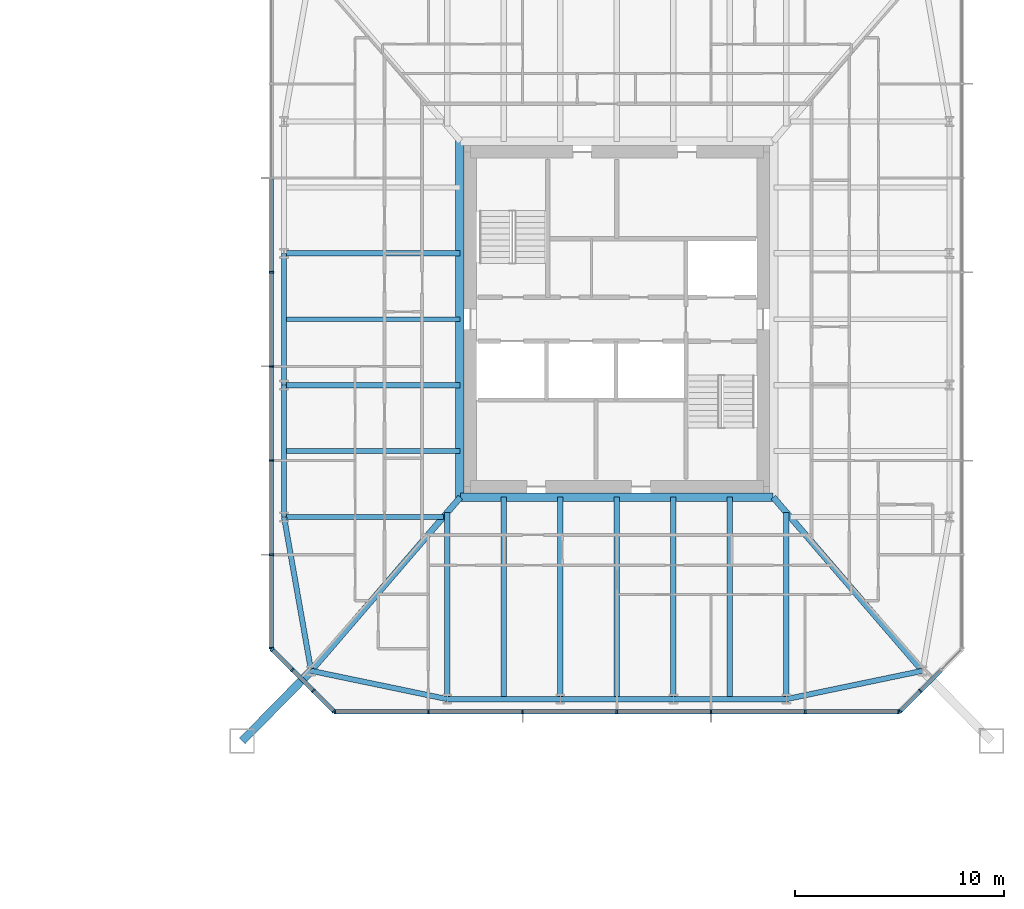
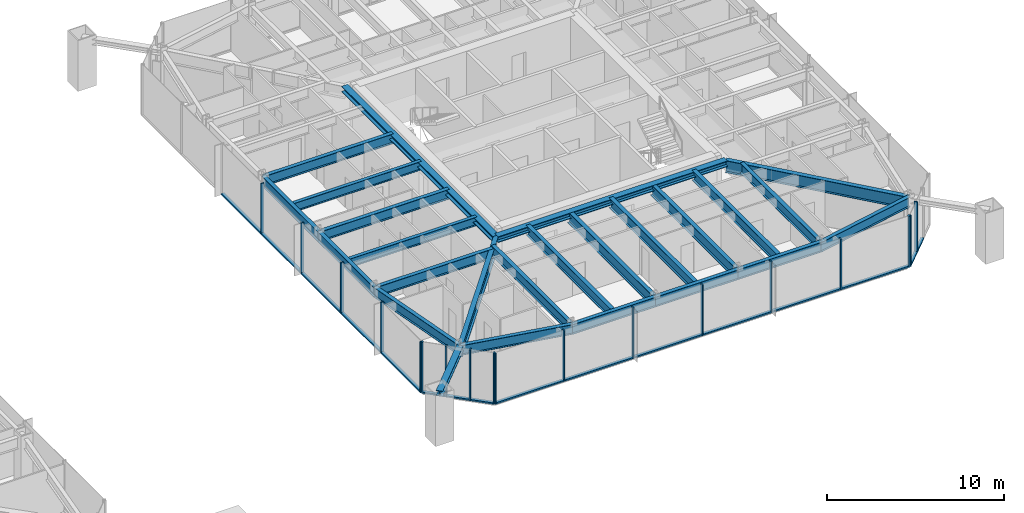
# One storey, part 8 of 26: 35 members, 24 beams, 4 elements without a shape of their own.
"""IFC4 building model written with IfcOpenShell, lengths in metres."""

from ifc_helpers import new_model, si_unit, direction, frame, origin, origin_2d, place, context, subcontext, project, spatial, rectangle, i_section, extrude, material, material_profile, profile_set, type_object, element, aggregate, save


model = new_model("IFC4")

# Units and contexts
model_context = context("Model", 3, precision=1e-05, world=origin(), true_north=direction((0.0, 1.0)))
body_context = subcontext(model_context, "Body", "Model", "MODEL_VIEW")
ifc_project = project(units=[si_unit("LENGTHUNIT", "METRE"), si_unit("AREAUNIT", "SQUARE_METRE"), si_unit("VOLUMEUNIT", "CUBIC_METRE"), si_unit("PLANEANGLEUNIT", "RADIAN"), si_unit("MASSUNIT", "GRAM", prefix="KILO")], contexts=[model_context])

# Site, building, storey
site_placement = place(None, origin())
site = spatial("IfcSite", under=ifc_project, at=site_placement, CompositionType="ELEMENT")
building_placement = place(site_placement, origin())
building = spatial("IfcBuilding", under=site, at=building_placement, Name="Iwan Alto Co-Living Towers", CompositionType="ELEMENT")
storey_placement = place(building_placement, frame((0.0, 0.0, 32.5)))
storey = spatial("IfcBuildingStorey", under=building, at=storey_placement, Name="L08", CompositionType="ELEMENT", Elevation=32.5)

# Curtain wall, members
ifc_material_1 = material(Name="Bronze aluminium unitised frame", Category="aluminium")
curtain_wall_type_1 = type_object("IfcCurtainWallType", Name="CURTAIN WALL CW-C", PredefinedType="NOTDEFINED", material=ifc_material_1)
curtain_wall_1_placement = place(storey_placement, origin())
curtain_wall_1 = element("IfcCurtainWall", 1, at=curtain_wall_1_placement, inside=storey, type_object=curtain_wall_type_1, Name="T2 curtain wall S L08", PredefinedType="NOTDEFINED")
ifc_material_2 = material(Name="Aluminium 6063-T6 bronze anodised", Category="aluminium")
ifc_material_profile_1 = material_profile(ifc_material_2, rectangle(XDim=0.199951171875, YDim=0.080078125, at=origin_2d()), Name="AL 80X200")
ifc_profile_set_1 = profile_set([ifc_material_profile_1], Name="Aluminium 6063-T6 bronze anodised")
member_type_1 = type_object("IfcMemberType", Name="CW-C MULLION 80X200", PredefinedType="MULLION", material=ifc_profile_set_1)
member_1_placement = place(storey_placement, frame((49.5400390625, -18.75, 0.0), z_axis=(0.0, 0.0, 1.0), x_axis=(0.0, 1.0, 0.0)))
member_1 = element("IfcMember", 2, at=member_1_placement, type_object=member_type_1, Name="CW-C mullion 1", PredefinedType="MULLION", context=body_context, shape_type="SweptSolid", body=[
    extrude(rectangle(XDim=0.199951171875, YDim=0.080078125, at=origin_2d()), origin(), (0.0, 0.0, 1.0), 3.5),
])
member_2_placement = place(storey_placement, frame((54.0, -18.75, 0.0), z_axis=(0.0, 0.0, 1.0), x_axis=(0.0, 1.0, 0.0)))
member_2 = element("IfcMember", 3, at=member_2_placement, type_object=member_type_1, Name="CW-C mullion 2", PredefinedType="MULLION", context=body_context, shape_type="SweptSolid", body=[
    extrude(rectangle(XDim=0.199951171875, YDim=0.080078125, at=origin_2d()), origin(), (0.0, 0.0, 1.0), 3.5),
])
member_3_placement = place(storey_placement, frame((58.5, -18.75, 0.0), z_axis=(0.0, 0.0, 1.0), x_axis=(0.0, 1.0, 0.0)))
member_3 = element("IfcMember", 4, at=member_3_placement, type_object=member_type_1, Name="CW-C mullion 3", PredefinedType="MULLION", context=body_context, shape_type="SweptSolid", body=[
    extrude(rectangle(XDim=0.199951171875, YDim=0.080078125, at=origin_2d()), origin(), (0.0, 0.0, 1.0), 3.5),
])
member_4_placement = place(storey_placement, frame((63.0, -18.75, 0.0), z_axis=(0.0, 0.0, 1.0), x_axis=(0.0, 1.0, 0.0)))
member_4 = element("IfcMember", 5, at=member_4_placement, type_object=member_type_1, Name="CW-C mullion 4", PredefinedType="MULLION", context=body_context, shape_type="SweptSolid", body=[
    extrude(rectangle(XDim=0.199951171875, YDim=0.080078125, at=origin_2d()), origin(), (0.0, 0.0, 1.0), 3.5),
])
member_5_placement = place(storey_placement, frame((67.5, -18.75, 0.0), z_axis=(0.0, 0.0, 1.0), x_axis=(0.0, 1.0, 0.0)))
member_5 = element("IfcMember", 6, at=member_5_placement, type_object=member_type_1, Name="CW-C mullion 5", PredefinedType="MULLION", context=body_context, shape_type="SweptSolid", body=[
    extrude(rectangle(XDim=0.199951171875, YDim=0.080078125, at=origin_2d()), origin(), (0.0, 0.0, 1.0), 3.5),
])
member_6_placement = place(storey_placement, frame((72.0, -18.75, 0.0), z_axis=(0.0, 0.0, 1.0), x_axis=(0.0, 1.0, 0.0)))
member_6 = element("IfcMember", 7, at=member_6_placement, type_object=member_type_1, Name="CW-C mullion 6", PredefinedType="MULLION", context=body_context, shape_type="SweptSolid", body=[
    extrude(rectangle(XDim=0.199951171875, YDim=0.080078125, at=origin_2d()), origin(), (0.0, 0.0, 1.0), 3.5),
])
member_7_placement = place(storey_placement, frame((76.4599609375, -18.75, 0.0), z_axis=(0.0, 0.0, 1.0), x_axis=(0.0, 1.0, 0.0)))
member_7 = element("IfcMember", 8, at=member_7_placement, type_object=member_type_1, Name="CW-C mullion 7", PredefinedType="MULLION", context=body_context, shape_type="SweptSolid", body=[
    extrude(rectangle(XDim=0.199951171875, YDim=0.080078125, at=origin_2d()), origin(), (0.0, 0.0, 1.0), 3.5),
])

curtain_wall_2_placement = place(storey_placement, origin())
curtain_wall_2 = element("IfcCurtainWall", 9, at=curtain_wall_2_placement, inside=storey, type_object=curtain_wall_type_1, Name="T2 curtain wall W L08", PredefinedType="NOTDEFINED")
member_8_placement = place(storey_placement, frame((46.5, 2.25, 0.0), z_axis=(0.0, 0.0, 1.0), x_axis=(1.0, 0.0, 0.0)))
member_8 = element("IfcMember", 10, at=member_8_placement, type_object=member_type_1, Name="CW-C mullion 4", PredefinedType="MULLION", context=body_context, shape_type="SweptSolid", body=[
    extrude(rectangle(XDim=0.199951171875, YDim=0.080078125, at=origin_2d()), origin(), (0.0, 0.0, 1.0), 3.5),
])
member_9_placement = place(storey_placement, frame((46.5, -2.25, 0.0), z_axis=(0.0, 0.0, 1.0), x_axis=(1.0, 0.0, 0.0)))
member_9 = element("IfcMember", 11, at=member_9_placement, type_object=member_type_1, Name="CW-C mullion 5", PredefinedType="MULLION", context=body_context, shape_type="SweptSolid", body=[
    extrude(rectangle(XDim=0.199951171875, YDim=0.080078125, at=origin_2d()), origin(), (0.0, 0.0, 1.0), 3.5),
])
member_10_placement = place(storey_placement, frame((46.5, -6.75, 0.0), z_axis=(0.0, 0.0, 1.0), x_axis=(1.0, 0.0, 0.0)))
member_10 = element("IfcMember", 12, at=member_10_placement, type_object=member_type_1, Name="CW-C mullion 6", PredefinedType="MULLION", context=body_context, shape_type="SweptSolid", body=[
    extrude(rectangle(XDim=0.199951171875, YDim=0.080078125, at=origin_2d()), origin(), (0.0, 0.0, 1.0), 3.5),
])
member_11_placement = place(storey_placement, frame((46.5, -11.25, 0.0), z_axis=(0.0, 0.0, 1.0), x_axis=(1.0, 0.0, 0.0)))
member_11 = element("IfcMember", 13, at=member_11_placement, type_object=member_type_1, Name="CW-C mullion 7", PredefinedType="MULLION", context=body_context, shape_type="SweptSolid", body=[
    extrude(rectangle(XDim=0.199951171875, YDim=0.080078125, at=origin_2d()), origin(), (0.0, 0.0, 1.0), 3.5),
])
member_12_placement = place(storey_placement, frame((46.5, -15.7099609375, 0.0), z_axis=(0.0, 0.0, 1.0), x_axis=(1.0, 0.0, 0.0)))
member_12 = element("IfcMember", 14, at=member_12_placement, type_object=member_type_1, Name="CW-C mullion 8", PredefinedType="MULLION", context=body_context, shape_type="SweptSolid", body=[
    extrude(rectangle(XDim=0.199951171875, YDim=0.080078125, at=origin_2d()), origin(), (0.0, 0.0, 1.0), 3.5),
])

# Member
ifc_material_3 = material(Name="Aluminium 6063-T6 bronze anodised", Category="aluminium")
ifc_material_profile_2 = material_profile(ifc_material_3, rectangle(XDim=0.199951171875, YDim=0.10009765625, at=origin_2d()), Name="AL 200X100")
ifc_profile_set_2 = profile_set([ifc_material_profile_2], Name="Aluminium 6063-T6 bronze anodised")
member_type_2 = type_object("IfcMemberType", Name="CW-C TRANSOM 200X100", PredefinedType="USERDEFINED", material=ifc_profile_set_2)
member_13_placement = place(storey_placement, frame((49.580078125, -18.75, 0.050048828125), z_axis=(1.0, 0.0, 0.0), x_axis=(0.0, 1.0, 0.0)))
member_13 = element("IfcMember", 15, at=member_13_placement, type_object=member_type_2, Name="CW-C transom 1.1", ObjectType="TRANSOM", PredefinedType="USERDEFINED", context=body_context, shape_type="SweptSolid", body=[
    extrude(rectangle(XDim=0.199951171875, YDim=0.10009765625, at=origin_2d()), origin(), (0.0, 0.0, 1.0), 4.3798828125),
])

member_14_placement = place(storey_placement, frame((54.0400390625, -18.75, 0.050048828125), z_axis=(1.0, 0.0, 0.0), x_axis=(0.0, 1.0, 0.0)))
member_14 = element("IfcMember", 16, at=member_14_placement, type_object=member_type_2, Name="CW-C transom 2.1", ObjectType="TRANSOM", PredefinedType="USERDEFINED", context=body_context, shape_type="SweptSolid", body=[
    extrude(rectangle(XDim=0.199951171875, YDim=0.10009765625, at=origin_2d()), origin(), (0.0, 0.0, 1.0), 4.419921875),
])

member_15_placement = place(storey_placement, frame((58.5400390625, -18.75, 0.050048828125), z_axis=(1.0, 0.0, 0.0), x_axis=(0.0, 1.0, 0.0)))
member_15 = element("IfcMember", 17, at=member_15_placement, type_object=member_type_2, Name="CW-C transom 3.1", ObjectType="TRANSOM", PredefinedType="USERDEFINED", context=body_context, shape_type="SweptSolid", body=[
    extrude(rectangle(XDim=0.199951171875, YDim=0.10009765625, at=origin_2d()), origin(), (0.0, 0.0, 1.0), 4.419921875),
])

member_16_placement = place(storey_placement, frame((63.0400390625, -18.75, 0.050048828125), z_axis=(1.0, 0.0, 0.0), x_axis=(0.0, 1.0, 0.0)))
member_16 = element("IfcMember", 18, at=member_16_placement, type_object=member_type_2, Name="CW-C transom 4.1", ObjectType="TRANSOM", PredefinedType="USERDEFINED", context=body_context, shape_type="SweptSolid", body=[
    extrude(rectangle(XDim=0.199951171875, YDim=0.10009765625, at=origin_2d()), origin(), (0.0, 0.0, 1.0), 4.419921875),
])

member_17_placement = place(storey_placement, frame((67.5400390625, -18.75, 0.050048828125), z_axis=(1.0, 0.0, 0.0), x_axis=(0.0, 1.0, 0.0)))
member_17 = element("IfcMember", 19, at=member_17_placement, type_object=member_type_2, Name="CW-C transom 5.1", ObjectType="TRANSOM", PredefinedType="USERDEFINED", context=body_context, shape_type="SweptSolid", body=[
    extrude(rectangle(XDim=0.199951171875, YDim=0.10009765625, at=origin_2d()), origin(), (0.0, 0.0, 1.0), 4.419921875),
])

member_18_placement = place(storey_placement, frame((72.0400390625, -18.75, 0.050048828125), z_axis=(1.0, 0.0, 0.0), x_axis=(0.0, 1.0, 0.0)))
member_18 = element("IfcMember", 20, at=member_18_placement, type_object=member_type_2, Name="CW-C transom 6.1", ObjectType="TRANSOM", PredefinedType="USERDEFINED", context=body_context, shape_type="SweptSolid", body=[
    extrude(rectangle(XDim=0.199951171875, YDim=0.10009765625, at=origin_2d()), origin(), (0.0, 0.0, 1.0), 4.3798828125),
])

aggregate(curtain_wall_1, [member_1, member_2, member_3, member_4, member_5, member_6, member_7, member_13, member_14, member_15, member_16, member_17, member_18])

member_19_placement = place(storey_placement, frame((46.5, 6.7099609375, 0.050048828125), z_axis=(0.0, -1.0, 0.0), x_axis=(1.0, 0.0, 0.0)))
member_19 = element("IfcMember", 21, at=member_19_placement, type_object=member_type_2, Name="CW-C transom 3.1", ObjectType="TRANSOM", PredefinedType="USERDEFINED", context=body_context, shape_type="SweptSolid", body=[
    extrude(rectangle(XDim=0.199951171875, YDim=0.10009765625, at=origin_2d()), origin(), (0.0, 0.0, 1.0), 4.419921875),
])

member_20_placement = place(storey_placement, frame((46.5, 2.2099609375, 0.050048828125), z_axis=(0.0, -1.0, 0.0), x_axis=(1.0, 0.0, 0.0)))
member_20 = element("IfcMember", 22, at=member_20_placement, type_object=member_type_2, Name="CW-C transom 4.1", ObjectType="TRANSOM", PredefinedType="USERDEFINED", context=body_context, shape_type="SweptSolid", body=[
    extrude(rectangle(XDim=0.199951171875, YDim=0.10009765625, at=origin_2d()), origin(), (0.0, 0.0, 1.0), 4.419921875),
])

member_21_placement = place(storey_placement, frame((46.5, -2.2900390625, 0.050048828125), z_axis=(0.0, -1.0, 0.0), x_axis=(1.0, 0.0, 0.0)))
member_21 = element("IfcMember", 23, at=member_21_placement, type_object=member_type_2, Name="CW-C transom 5.1", ObjectType="TRANSOM", PredefinedType="USERDEFINED", context=body_context, shape_type="SweptSolid", body=[
    extrude(rectangle(XDim=0.199951171875, YDim=0.10009765625, at=origin_2d()), origin(), (0.0, 0.0, 1.0), 4.419921875),
])

member_22_placement = place(storey_placement, frame((46.5, -6.7900390625, 0.050048828125), z_axis=(0.0, -1.0, 0.0), x_axis=(1.0, 0.0, 0.0)))
member_22 = element("IfcMember", 24, at=member_22_placement, type_object=member_type_2, Name="CW-C transom 6.1", ObjectType="TRANSOM", PredefinedType="USERDEFINED", context=body_context, shape_type="SweptSolid", body=[
    extrude(rectangle(XDim=0.199951171875, YDim=0.10009765625, at=origin_2d()), origin(), (0.0, 0.0, 1.0), 4.419921875),
])

member_23_placement = place(storey_placement, frame((46.5, -11.2900390625, 0.050048828125), z_axis=(0.0, -1.0, 0.0), x_axis=(1.0, 0.0, 0.0)))
member_23 = element("IfcMember", 25, at=member_23_placement, type_object=member_type_2, Name="CW-C transom 7.1", ObjectType="TRANSOM", PredefinedType="USERDEFINED", context=body_context, shape_type="SweptSolid", body=[
    extrude(rectangle(XDim=0.199951171875, YDim=0.10009765625, at=origin_2d()), origin(), (0.0, 0.0, 1.0), 4.3798828125),
])

aggregate(curtain_wall_2, [member_8, member_9, member_10, member_11, member_12, member_19, member_20, member_21, member_22, member_23])

# Curtain wall, members
ifc_material_4 = material(Name="Bronze aluminium unitised frame", Category="aluminium")
curtain_wall_type_2 = type_object("IfcCurtainWallType", Name="CURTAIN WALL CW-D", PredefinedType="NOTDEFINED", material=ifc_material_4)
curtain_wall_3_placement = place(storey_placement, origin())
curtain_wall_3 = element("IfcCurtainWall", 26, at=curtain_wall_3_placement, inside=storey, type_object=curtain_wall_type_2, Name="T2 chamfer curtain wall SE L08", PredefinedType="NOTDEFINED")
ifc_material_5 = material(Name="Aluminium 6063-T6 bronze anodised", Category="aluminium")
ifc_material_profile_3 = material_profile(ifc_material_5, rectangle(XDim=0.199951171875, YDim=0.080078125, at=origin_2d()), Name="AL 80X200")
ifc_profile_set_3 = profile_set([ifc_material_profile_3], Name="Aluminium 6063-T6 bronze anodised")
member_type_3 = type_object("IfcMemberType", Name="CW-D MULLION 80X200", PredefinedType="MULLION", material=ifc_profile_set_3)
member_24_placement = place(storey_placement, frame((76.5283203125, -18.7216796875, 0.0), z_axis=(0.0, 0.0, 1.0), x_axis=(-0.707106781187, 0.707106781187, 0.0)))
member_24 = element("IfcMember", 27, at=member_24_placement, type_object=member_type_3, Name="CW-D mullion 1", PredefinedType="MULLION", context=body_context, shape_type="SweptSolid", body=[
    extrude(rectangle(XDim=0.199951171875, YDim=0.080078125, at=origin_2d()), origin(), (0.0, 0.0, 1.0), 3.5),
])
member_25_placement = place(storey_placement, frame((77.5, -17.75, 0.0), z_axis=(0.0, 0.0, 1.0), x_axis=(-0.707106781187, 0.707106781187, 0.0)))
member_25 = element("IfcMember", 28, at=member_25_placement, type_object=member_type_3, Name="CW-D mullion 2", PredefinedType="MULLION", context=body_context, shape_type="SweptSolid", body=[
    extrude(rectangle(XDim=0.199951171875, YDim=0.080078125, at=origin_2d()), origin(), (0.0, 0.0, 1.0), 3.5),
])

curtain_wall_4_placement = place(storey_placement, origin())
curtain_wall_4 = element("IfcCurtainWall", 29, at=curtain_wall_4_placement, inside=storey, type_object=curtain_wall_type_2, Name="T2 chamfer curtain wall SW L08", PredefinedType="NOTDEFINED")
member_26_placement = place(storey_placement, frame((46.5283203125, -15.7783203125, 0.0), z_axis=(0.0, 0.0, 1.0), x_axis=(0.707106781187, 0.707106781187, 0.0)))
member_26 = element("IfcMember", 30, at=member_26_placement, type_object=member_type_3, Name="CW-D mullion 1", PredefinedType="MULLION", context=body_context, shape_type="SweptSolid", body=[
    extrude(rectangle(XDim=0.199951171875, YDim=0.080078125, at=origin_2d()), origin(), (0.0, 0.0, 1.0), 3.5),
])
member_27_placement = place(storey_placement, frame((47.5, -16.75, 0.0), z_axis=(0.0, 0.0, 1.0), x_axis=(0.707106781187, 0.707106781187, 0.0)))
member_27 = element("IfcMember", 31, at=member_27_placement, type_object=member_type_3, Name="CW-D mullion 2", PredefinedType="MULLION", context=body_context, shape_type="SweptSolid", body=[
    extrude(rectangle(XDim=0.199951171875, YDim=0.080078125, at=origin_2d()), origin(), (0.0, 0.0, 1.0), 3.5),
])
member_28_placement = place(storey_placement, frame((48.5, -17.75, 0.0), z_axis=(0.0, 0.0, 1.0), x_axis=(0.707106781187, 0.707106781187, 0.0)))
member_28 = element("IfcMember", 32, at=member_28_placement, type_object=member_type_3, Name="CW-D mullion 3", PredefinedType="MULLION", context=body_context, shape_type="SweptSolid", body=[
    extrude(rectangle(XDim=0.199951171875, YDim=0.080078125, at=origin_2d()), origin(), (0.0, 0.0, 1.0), 3.5),
])
member_29_placement = place(storey_placement, frame((49.4716796875, -18.7216796875, 0.0), z_axis=(0.0, 0.0, 1.0), x_axis=(0.707106781187, 0.707106781187, 0.0)))
member_29 = element("IfcMember", 33, at=member_29_placement, type_object=member_type_3, Name="CW-D mullion 4", PredefinedType="MULLION", context=body_context, shape_type="SweptSolid", body=[
    extrude(rectangle(XDim=0.199951171875, YDim=0.080078125, at=origin_2d()), origin(), (0.0, 0.0, 1.0), 3.5),
])

# Member
ifc_material_6 = material(Name="Aluminium 6063-T6 bronze anodised", Category="aluminium")
ifc_material_profile_4 = material_profile(ifc_material_6, rectangle(XDim=0.199951171875, YDim=0.10009765625, at=origin_2d()), Name="AL 200X100")
ifc_profile_set_4 = profile_set([ifc_material_profile_4], Name="Aluminium 6063-T6 bronze anodised")
member_type_4 = type_object("IfcMemberType", Name="CW-D TRANSOM 200X100", PredefinedType="USERDEFINED", material=ifc_profile_set_4)
member_30_placement = place(storey_placement, frame((76.556640625, -18.693359375, 0.050048828125), z_axis=(0.707106781187, 0.707106781187, 0.0), x_axis=(-0.707106781187, 0.707106781187, 0.0)))
member_30 = element("IfcMember", 34, at=member_30_placement, type_object=member_type_4, Name="CW-D transom 1.1", ObjectType="TRANSOM", PredefinedType="USERDEFINED", context=body_context, shape_type="SweptSolid", body=[
    extrude(rectangle(XDim=0.199951171875, YDim=0.10009765625, at=origin_2d()), origin(), (0.0, 0.0, 1.0), 1.2939453125),
])

member_31_placement = place(storey_placement, frame((77.5283203125, -17.7216796875, 0.050048828125), z_axis=(0.707106781187, 0.707106781187, 0.0), x_axis=(-0.707106781187, 0.707106781187, 0.0)))
member_31 = element("IfcMember", 35, at=member_31_placement, type_object=member_type_4, Name="CW-D transom 2.1", ObjectType="TRANSOM", PredefinedType="USERDEFINED", context=body_context, shape_type="SweptSolid", body=[
    extrude(rectangle(XDim=0.199951171875, YDim=0.10009765625, at=origin_2d()), origin(), (0.0, 0.0, 1.0), 1.334228515625),
])

aggregate(curtain_wall_3, [member_24, member_25, member_30, member_31])

member_32_placement = place(storey_placement, frame((46.556640625, -15.806640625, 0.050048828125), z_axis=(0.707106781187, -0.707106781187, 0.0), x_axis=(0.707106781187, 0.707106781187, 0.0)))
member_32 = element("IfcMember", 36, at=member_32_placement, type_object=member_type_4, Name="CW-D transom 1.1", ObjectType="TRANSOM", PredefinedType="USERDEFINED", context=body_context, shape_type="SweptSolid", body=[
    extrude(rectangle(XDim=0.199951171875, YDim=0.10009765625, at=origin_2d()), origin(), (0.0, 0.0, 1.0), 1.2939453125),
])

member_33_placement = place(storey_placement, frame((47.5283203125, -16.7783203125, 0.050048828125), z_axis=(0.707106781187, -0.707106781187, 0.0), x_axis=(0.707106781187, 0.707106781187, 0.0)))
member_33 = element("IfcMember", 37, at=member_33_placement, type_object=member_type_4, Name="CW-D transom 2.1", ObjectType="TRANSOM", PredefinedType="USERDEFINED", context=body_context, shape_type="SweptSolid", body=[
    extrude(rectangle(XDim=0.199951171875, YDim=0.10009765625, at=origin_2d()), origin(), (0.0, 0.0, 1.0), 1.334228515625),
])

member_34_placement = place(storey_placement, frame((48.5283203125, -17.7783203125, 0.050048828125), z_axis=(0.707106781187, -0.707106781187, 0.0), x_axis=(0.707106781187, 0.707106781187, 0.0)))
member_34 = element("IfcMember", 38, at=member_34_placement, type_object=member_type_4, Name="CW-D transom 3.1", ObjectType="TRANSOM", PredefinedType="USERDEFINED", context=body_context, shape_type="SweptSolid", body=[
    extrude(rectangle(XDim=0.199951171875, YDim=0.10009765625, at=origin_2d()), origin(), (0.0, 0.0, 1.0), 1.2939453125),
])

aggregate(curtain_wall_4, [member_26, member_27, member_28, member_29, member_32, member_33, member_34])

# Beams
ifc_material_7 = material(Name="Steel ASTM A992 Gr 50", Category="steel")
ifc_material_profile_5 = material_profile(ifc_material_7, i_section(OverallWidth=0.40380859375, OverallDepth=0.406494140625, WebThickness=0.027099609375, FlangeThickness=0.043701171875, at=origin_2d()), Name="W14X233")
ifc_profile_set_5 = profile_set([ifc_material_profile_5], Name="Steel ASTM A992 Gr 50")
beam_type_1 = type_object("IfcBeamType", Name="T2 CORE LEDGER BEAM W14X233", PredefinedType="BEAM", material=ifc_profile_set_5)
beam_1_placement = place(storey_placement, frame((55.5263671875, -8.501953125, 3.06689453125), z_axis=(1.0, 0.0, 0.0), x_axis=(0.0, 1.0, 0.0)))
element("IfcBeam", 39, at=beam_1_placement, inside=storey, type_object=beam_type_1, Name="T2 core ledger beam S L09", PredefinedType="BEAM", context=body_context, shape_type="SweptSolid", body=[
    extrude(i_section(OverallWidth=0.40380859375, OverallDepth=0.406494140625, WebThickness=0.027099609375, FlangeThickness=0.043701171875, at=origin_2d()), origin(), (0.0, 0.0, 1.0), 14.947265625),
])
beam_2_placement = place(storey_placement, frame((55.498046875, 8.534912109375, 3.06689453125), z_axis=(0.0, -1.0, 0.0), x_axis=(1.0, 0.0, 0.0)))
element("IfcBeam", 40, at=beam_2_placement, inside=storey, type_object=beam_type_1, Name="T2 core ledger beam W L09", PredefinedType="BEAM", context=body_context, shape_type="SweptSolid", body=[
    extrude(i_section(OverallWidth=0.40380859375, OverallDepth=0.406494140625, WebThickness=0.027099609375, FlangeThickness=0.043701171875, at=origin_2d()), origin(), (0.0, 0.0, 1.0), 17.06982421875),
])
ifc_material_8 = material(Name="Steel ASTM A992 Gr 50", Category="steel")
ifc_material_profile_6 = material_profile(ifc_material_8, i_section(OverallWidth=0.2919921875, OverallDepth=0.8408203125, WebThickness=0.0146484375, FlangeThickness=0.021728515625, at=origin_2d()), Name="W33X130")
ifc_profile_set_6 = profile_set([ifc_material_profile_6], Name="Steel ASTM A992 Gr 50")
beam_type_2 = type_object("IfcBeamType", Name="T2 CORNER GIRDER W33X130", PredefinedType="BEAM", material=ifc_profile_set_6)
for number, where, z_axis, x_axis, name in (
    (41, (48.393798828125, -16.797119140625, 2.849609375), (0.651972301827, 0.758242782788, 0.0), (-0.758242782788, 0.651972301827, 0.0), "T2 corner girder CSW L09"),
    (42, (77.606201171875, -16.797119140625, 2.849609375), (-0.651972301827, 0.758242782788, 0.0), (-0.758242782788, -0.651972301827, 0.0), "T2 corner girder CSE L09"),
):
    element("IfcBeam", number, at=place(storey_placement, frame(where, z_axis=z_axis, x_axis=x_axis)), inside=storey, type_object=beam_type_2, Name=name, PredefinedType="BEAM", context=body_context, shape_type="SweptSolid", body=[
        extrude(i_section(OverallWidth=0.2919921875, OverallDepth=0.8408203125, WebThickness=0.0146484375, FlangeThickness=0.021728515625, at=origin_2d()), origin(), (0.0, 0.0, 1.0), 10.93994140625),
    ])
ifc_material_9 = material(Name="Steel ASTM A992 Gr 50", Category="steel")
ifc_material_profile_7 = material_profile(ifc_material_9, i_section(OverallWidth=0.25390625, OverallDepth=0.683349609375, WebThickness=0.012451171875, FlangeThickness=0.018798828125, at=origin_2d()), Name="W27X94")
ifc_profile_set_7 = profile_set([ifc_material_profile_7], Name="Steel ASTM A992 Gr 50")
beam_type_3 = type_object("IfcBeamType", Name="T2 EDGE BEAM W27X94", PredefinedType="BEAM", material=ifc_profile_set_7)
beam_3_placement = place(storey_placement, frame((48.393798828125, -16.797119140625, 2.928466796875), z_axis=(0.979060119423, -0.203571320564, 0.0), x_axis=(0.203571320564, 0.979060119423, 0.0)))
element("IfcBeam", 43, at=beam_3_placement, inside=storey, type_object=beam_type_3, Name="T2 edge beam CSW L09", PredefinedType="BEAM", context=body_context, shape_type="SweptSolid", body=[
    extrude(i_section(OverallWidth=0.25390625, OverallDepth=0.683349609375, WebThickness=0.012451171875, FlangeThickness=0.018798828125, at=origin_2d()), origin(), (0.0, 0.0, 1.0), 6.645263671875),
])
beam_4_placement = place(storey_placement, frame((54.89990234375, -18.14990234375, 2.928466796875), z_axis=(1.0, 0.0, 0.0), x_axis=(0.0, 1.0, 0.0)))
element("IfcBeam", 44, at=beam_4_placement, inside=storey, type_object=beam_type_3, Name="T2 edge beam S1 L09", PredefinedType="BEAM", context=body_context, shape_type="SweptSolid", body=[
    extrude(i_section(OverallWidth=0.25390625, OverallDepth=0.683349609375, WebThickness=0.012451171875, FlangeThickness=0.018798828125, at=origin_2d()), origin(), (0.0, 0.0, 1.0), 5.400146484375),
])
beam_5_placement = place(storey_placement, frame((60.300048828125, -18.14990234375, 2.928466796875), z_axis=(1.0, 0.0, 0.0), x_axis=(0.0, 1.0, 0.0)))
element("IfcBeam", 45, at=beam_5_placement, inside=storey, type_object=beam_type_3, Name="T2 edge beam S2 L09", PredefinedType="BEAM", context=body_context, shape_type="SweptSolid", body=[
    extrude(i_section(OverallWidth=0.25390625, OverallDepth=0.683349609375, WebThickness=0.012451171875, FlangeThickness=0.018798828125, at=origin_2d()), origin(), (0.0, 0.0, 1.0), 5.39990234375),
])
beam_6_placement = place(storey_placement, frame((65.699951171875, -18.14990234375, 2.928466796875), z_axis=(1.0, 0.0, 0.0), x_axis=(0.0, 1.0, 0.0)))
element("IfcBeam", 46, at=beam_6_placement, inside=storey, type_object=beam_type_3, Name="T2 edge beam S3 L09", PredefinedType="BEAM", context=body_context, shape_type="SweptSolid", body=[
    extrude(i_section(OverallWidth=0.25390625, OverallDepth=0.683349609375, WebThickness=0.012451171875, FlangeThickness=0.018798828125, at=origin_2d()), origin(), (0.0, 0.0, 1.0), 5.400146484375),
])
beam_7_placement = place(storey_placement, frame((71.10009765625, -18.14990234375, 2.928466796875), z_axis=(0.979060119423, 0.203571320564, 0.0), x_axis=(-0.203571320564, 0.979060119423, 0.0)))
element("IfcBeam", 47, at=beam_7_placement, inside=storey, type_object=beam_type_3, Name="T2 edge beam S4 L09", PredefinedType="BEAM", context=body_context, shape_type="SweptSolid", body=[
    extrude(i_section(OverallWidth=0.25390625, OverallDepth=0.683349609375, WebThickness=0.012451171875, FlangeThickness=0.018798828125, at=origin_2d()), origin(), (0.0, 0.0, 1.0), 6.645263671875),
])
beam_8_placement = place(storey_placement, frame((47.10009765625, 3.14990234375, 2.928466796875), z_axis=(0.0, -1.0, 0.0), x_axis=(1.0, 0.0, 0.0)))
element("IfcBeam", 48, at=beam_8_placement, inside=storey, type_object=beam_type_3, Name="T2 edge beam W2 L09", PredefinedType="BEAM", context=body_context, shape_type="SweptSolid", body=[
    extrude(i_section(OverallWidth=0.25390625, OverallDepth=0.683349609375, WebThickness=0.012451171875, FlangeThickness=0.018798828125, at=origin_2d()), origin(), (0.0, 0.0, 1.0), 6.2998046875),
])
beam_9_placement = place(storey_placement, frame((47.10009765625, -3.14990234375, 2.928466796875), z_axis=(0.0, -1.0, 0.0), x_axis=(1.0, 0.0, 0.0)))
element("IfcBeam", 49, at=beam_9_placement, inside=storey, type_object=beam_type_3, Name="T2 edge beam W3 L09", PredefinedType="BEAM", context=body_context, shape_type="SweptSolid", body=[
    extrude(i_section(OverallWidth=0.25390625, OverallDepth=0.683349609375, WebThickness=0.012451171875, FlangeThickness=0.018798828125, at=origin_2d()), origin(), (0.0, 0.0, 1.0), 6.300048828125),
])
beam_10_placement = place(storey_placement, frame((47.10009765625, -9.449951171875, 2.928466796875), z_axis=(0.173413807283, -0.98484905008, 0.0), x_axis=(0.98484905008, 0.173413807283, 0.0)))
element("IfcBeam", 50, at=beam_10_placement, inside=storey, type_object=beam_type_3, Name="T2 edge beam W4 L09", PredefinedType="BEAM", context=body_context, shape_type="SweptSolid", body=[
    extrude(i_section(OverallWidth=0.25390625, OverallDepth=0.683349609375, WebThickness=0.012451171875, FlangeThickness=0.018798828125, at=origin_2d()), origin(), (0.0, 0.0, 1.0), 7.460205078125),
])

# Member
ifc_material_10 = material(Name="Steel ASTM A992 Gr 50", Category="steel")
ifc_material_profile_8 = material_profile(ifc_material_10, i_section(OverallWidth=0.393798828125, OverallDepth=0.3759765625, WebThickness=0.017333984375, FlangeThickness=0.027587890625, at=origin_2d()), Name="W14X145")
ifc_profile_set_8 = profile_set([ifc_material_profile_8], Name="Steel ASTM A992 Gr 50")
member_type_5 = type_object("IfcMemberType", Name="T2 MEGA COLUMN FLOOR TIE W14X145", PredefinedType="STRUT", material=ifc_profile_set_8)
member_35_placement = place(storey_placement, frame((45.10009765625, -20.14990234375, 3.08203125), z_axis=(0.700793469544, 0.71336422187, 0.0), x_axis=(-0.71336422187, 0.700793469544, 0.0)))
element("IfcMember", 51, at=member_35_placement, inside=storey, type_object=member_type_5, Name="T2 mega column floor tie SW L09", PredefinedType="STRUT", context=body_context, shape_type="SweptSolid", body=[
    extrude(i_section(OverallWidth=0.393798828125, OverallDepth=0.3759765625, WebThickness=0.017333984375, FlangeThickness=0.027587890625, at=origin_2d()), origin(), (0.0, 0.0, 1.0), 4.699951171875),
])

# Beams
ifc_material_11 = material(Name="Steel ASTM A992 Gr 50", Category="steel")
ifc_material_profile_9 = material_profile(ifc_material_11, i_section(OverallWidth=0.25390625, OverallDepth=0.683349609375, WebThickness=0.012451171875, FlangeThickness=0.018798828125, at=origin_2d()), Name="W27X94")
ifc_profile_set_9 = profile_set([ifc_material_profile_9], Name="Steel ASTM A992 Gr 50")
beam_type_4 = type_object("IfcBeamType", Name="T2 RADIAL BEAM W27X94", PredefinedType="BEAM", material=ifc_profile_set_9)
for number, where, z_axis, x_axis, name in (
    (52, (54.89990234375, -18.14990234375, 2.928466796875), (0.0, 1.0, 0.0), (-1.0, 0.0, 0.0), "T2 radial beam S1 L09"),
    (53, (71.10009765625, -18.14990234375, 2.928466796875), (0.0, 1.0, 0.0), (-1.0, 0.0, 0.0), "T2 radial beam S4 L09"),
):
    element("IfcBeam", number, at=place(storey_placement, frame(where, z_axis=z_axis, x_axis=x_axis)), inside=storey, type_object=beam_type_4, Name=name, PredefinedType="BEAM", context=body_context, shape_type="SweptSolid", body=[
        extrude(i_section(OverallWidth=0.25390625, OverallDepth=0.683349609375, WebThickness=0.012451171875, FlangeThickness=0.018798828125, at=origin_2d()), origin(), (0.0, 0.0, 1.0), 8.91943359375),
    ])
for number, where, z_axis, x_axis, name in (
    (54, (47.10009765625, 3.14990234375, 2.928466796875), (1.0, 0.0, 0.0), (0.0, 1.0, 0.0), "T2 radial beam W2 L09"),
    (55, (47.10009765625, -3.14990234375, 2.928466796875), (1.0, 0.0, 0.0), (0.0, 1.0, 0.0), "T2 radial beam W3 L09"),
):
    element("IfcBeam", number, at=place(storey_placement, frame(where, z_axis=z_axis, x_axis=x_axis)), inside=storey, type_object=beam_type_4, Name=name, PredefinedType="BEAM", context=body_context, shape_type="SweptSolid", body=[
        extrude(i_section(OverallWidth=0.25390625, OverallDepth=0.683349609375, WebThickness=0.012451171875, FlangeThickness=0.018798828125, at=origin_2d()), origin(), (0.0, 0.0, 1.0), 8.39794921875),
    ])
beam_11_placement = place(storey_placement, frame((47.10009765625, -9.449951171875, 2.928466796875), z_axis=(1.0, 0.0, 0.0), x_axis=(0.0, 1.0, 0.0)))
element("IfcBeam", 56, at=beam_11_placement, inside=storey, type_object=beam_type_4, Name="T2 radial beam W4 L09", PredefinedType="BEAM", context=body_context, shape_type="SweptSolid", body=[
    extrude(i_section(OverallWidth=0.25390625, OverallDepth=0.683349609375, WebThickness=0.012451171875, FlangeThickness=0.018798828125, at=origin_2d()), origin(), (0.0, 0.0, 1.0), 7.611083984375),
])
ifc_material_12 = material(Name="Steel ASTM A992 Gr 50", Category="steel")
ifc_material_profile_10 = material_profile(ifc_material_12, i_section(OverallWidth=0.2666015625, OverallDepth=0.761962890625, WebThickness=0.014404296875, FlangeThickness=0.021484375, at=origin_2d()), Name="W30X116")
ifc_profile_set_10 = profile_set([ifc_material_profile_10], Name="Steel ASTM A992 Gr 50")
beam_type_5 = type_object("IfcBeamType", Name="T2 RADIAL BEAM W30X116", PredefinedType="BEAM", material=ifc_profile_set_10)
for number, where, z_axis, x_axis, name in (
    (57, (60.300048828125, -18.14990234375, 2.888916015625), (0.0, 1.0, 0.0), (-1.0, 0.0, 0.0), "T2 radial beam S2 L09"),
    (58, (65.699951171875, -18.14990234375, 2.888916015625), (0.0, 1.0, 0.0), (-1.0, 0.0, 0.0), "T2 radial beam S3 L09"),
):
    element("IfcBeam", number, at=place(storey_placement, frame(where, z_axis=z_axis, x_axis=x_axis)), inside=storey, type_object=beam_type_5, Name=name, PredefinedType="BEAM", context=body_context, shape_type="SweptSolid", body=[
        extrude(i_section(OverallWidth=0.2666015625, OverallDepth=0.761962890625, WebThickness=0.014404296875, FlangeThickness=0.021484375, at=origin_2d()), origin(), (0.0, 0.0, 1.0), 9.64794921875),
    ])
ifc_material_13 = material(Name="Steel ASTM A992 Gr 50", Category="steel")
ifc_material_profile_11 = material_profile(ifc_material_13, i_section(OverallWidth=0.228271484375, OverallDepth=0.607177734375, WebThickness=0.01123046875, FlangeThickness=0.017333984375, at=origin_2d()), Name="W24X76")
ifc_profile_set_11 = profile_set([ifc_material_profile_11], Name="Steel ASTM A992 Gr 50")
beam_type_6 = type_object("IfcBeamType", Name="T2 SECONDARY BEAM W24X76", PredefinedType="JOIST", material=ifc_profile_set_11)
for number, where, z_axis, x_axis, name in (
    (59, (47.10009765625, 0.0, 2.966552734375), (1.0, 0.0, 0.0), (0.0, 1.0, 0.0), "T2 secondary beam W2 L09"),
    (60, (47.10009765625, -6.300048828125, 2.966552734375), (1.0, 0.0, 0.0), (0.0, 1.0, 0.0), "T2 secondary beam W3 L09"),
):
    element("IfcBeam", number, at=place(storey_placement, frame(where, z_axis=z_axis, x_axis=x_axis)), inside=storey, type_object=beam_type_6, Name=name, PredefinedType="JOIST", context=body_context, shape_type="SweptSolid", body=[
        extrude(i_section(OverallWidth=0.228271484375, OverallDepth=0.607177734375, WebThickness=0.01123046875, FlangeThickness=0.017333984375, at=origin_2d()), origin(), (0.0, 0.0, 1.0), 8.39794921875),
    ])
ifc_material_14 = material(Name="Steel ASTM A992 Gr 50", Category="steel")
ifc_material_profile_12 = material_profile(ifc_material_14, i_section(OverallWidth=0.25390625, OverallDepth=0.683349609375, WebThickness=0.012451171875, FlangeThickness=0.018798828125, at=origin_2d()), Name="W27X94")
ifc_profile_set_12 = profile_set([ifc_material_profile_12], Name="Steel ASTM A992 Gr 50")
beam_type_7 = type_object("IfcBeamType", Name="T2 SECONDARY BEAM W27X94", PredefinedType="JOIST", material=ifc_profile_set_12)
for number, where, z_axis, x_axis, name in (
    (61, (57.60009765625, -18.14990234375, 2.928466796875), (0.0, 1.0, 0.0), (-1.0, 0.0, 0.0), "T2 secondary beam S1 L09"),
    (62, (63.0, -18.14990234375, 2.928466796875), (0.0, 1.0, 0.0), (-1.0, 0.0, 0.0), "T2 secondary beam S2 L09"),
    (63, (68.39990234375, -18.14990234375, 2.928466796875), (0.0, 1.0, 0.0), (-1.0, 0.0, 0.0), "T2 secondary beam S3 L09"),
):
    element("IfcBeam", number, at=place(storey_placement, frame(where, z_axis=z_axis, x_axis=x_axis)), inside=storey, type_object=beam_type_7, Name=name, PredefinedType="JOIST", context=body_context, shape_type="SweptSolid", body=[
        extrude(i_section(OverallWidth=0.25390625, OverallDepth=0.683349609375, WebThickness=0.012451171875, FlangeThickness=0.018798828125, at=origin_2d()), origin(), (0.0, 0.0, 1.0), 9.64794921875),
    ])

save(model, "model.ifc")
